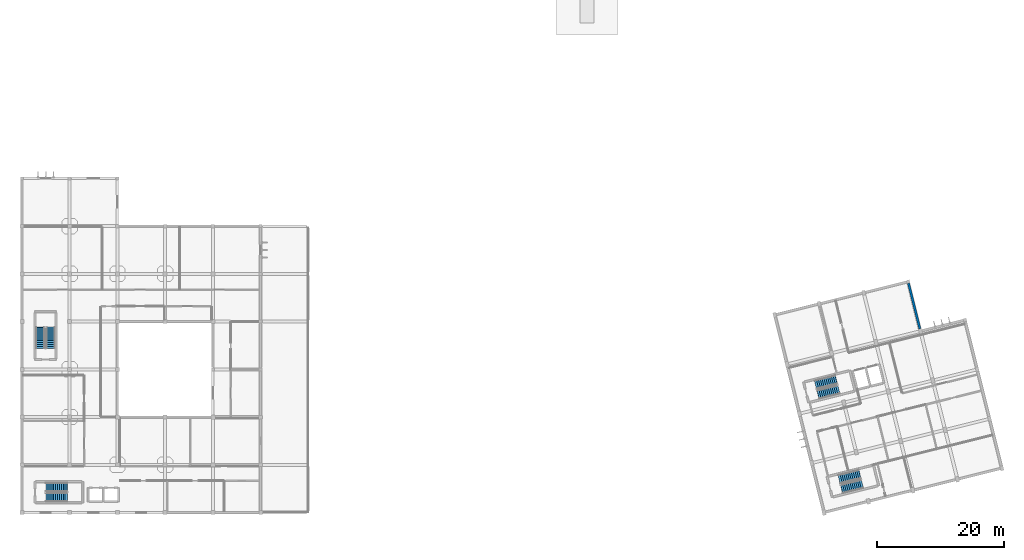
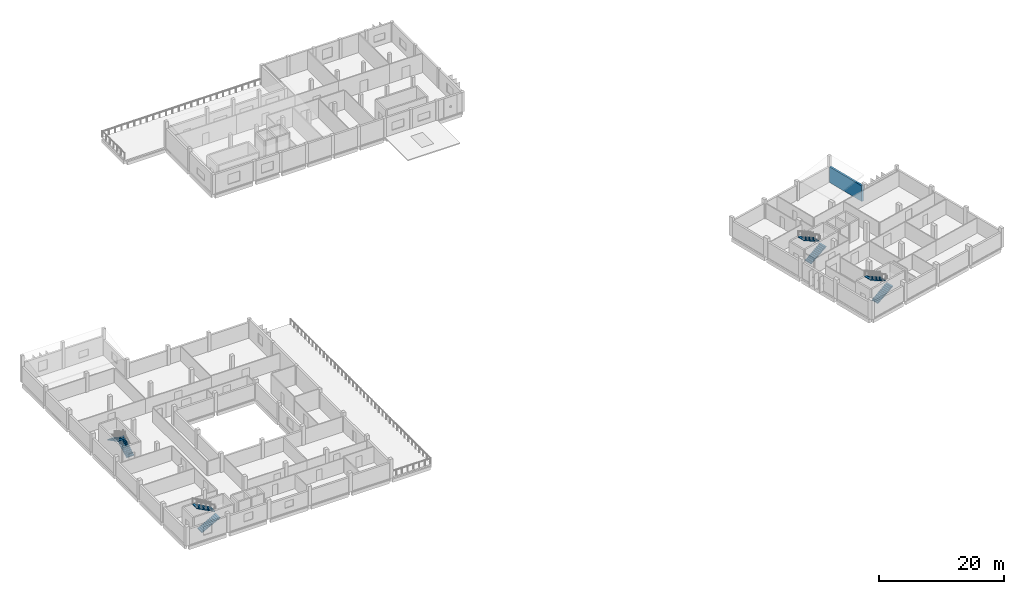
# One storey, part 12 of 21: 8 stair flights, 1 wall, 4 elements without a shape of their own.
"""IFC4 building model written with IfcOpenShell, lengths in metres."""

from ifc_helpers import new_model, si_unit, direction, frame, frame_2d, origin, place, context, subcontext, project, spatial, polyline, rectangle, outline, extrude, material, layer, layer_set, type_object, element, aggregate, save


model = new_model("IFC4")

# Units and contexts
model_context = context("Model", 3, precision=1e-05, world=origin(), true_north=direction((0.0, 1.0)))
body_context = subcontext(model_context, "Body", "Model", "MODEL_VIEW")
ifc_project = project(units=[si_unit("LENGTHUNIT", "METRE"), si_unit("AREAUNIT", "SQUARE_METRE"), si_unit("VOLUMEUNIT", "CUBIC_METRE"), si_unit("PLANEANGLEUNIT", "RADIAN"), si_unit("MASSUNIT", "GRAM", prefix="KILO")], contexts=[model_context])

# Site, building, storey
site_placement = place(None, origin())
site = spatial("IfcSite", under=ifc_project, at=site_placement, CompositionType="ELEMENT")
building_placement = place(site_placement, origin())
building = spatial("IfcBuilding", under=site, at=building_placement, Name="Mawjan Specialist Oncology Clinic", CompositionType="ELEMENT")
storey_placement = place(building_placement, frame((0.0, 0.0, 13.5)))
storey = spatial("IfcBuildingStorey", under=building, at=storey_placement, Name="L03", CompositionType="ELEMENT", Elevation=13.5)

# Wall
ifc_material_1 = material(Name="Precast concrete C40/50", Category="concrete")
ifc_layer_1 = layer(ifc_material_1, 0.35009765625, Name="Precast concrete C40/50", Category="concrete")
ifc_layer_set_1 = layer_set([ifc_layer_1], Name="Precast concrete C40/50")
wall_type = type_object("IfcWallType", Name="EW-350", PredefinedType="SOLIDWALL", material=ifc_layer_set_1)
wall_placement = place(storey_placement, frame((139.27734375, 36.83251953125, 0.0), z_axis=(0.0, 0.0, 1.0), x_axis=(0.241920240952, -0.970296138825, 0.0)))
element("IfcWall", 1, at=wall_placement, inside=storey, type_object=wall_type, Name="L03 Coral-Limestone Exterior Wall EW-L03-254", PredefinedType="SOLIDWALL", context=body_context, shape_type="SweptSolid", body=[
    extrude(rectangle(XDim=7.375, YDim=0.35009765625, at=frame_2d((3.6875, 0.0))), origin(), (0.0, 0.0, 1.0), 3.054931640625),
])

# Stair, stair flights
ifc_material_2 = material(Name="Concrete C35/45", Category="concrete")
stair_type = type_object("IfcStairType", Name="STR-CORE40", PredefinedType="HALF_TURN_STAIR", material=ifc_material_2)
stair_1_placement = place(storey_placement, origin())
stair_1 = element("IfcStair", 2, at=stair_1_placement, inside=storey, type_object=stair_type, Name="L03 Exit Stair ST-01", PredefinedType="HALF_TURN_STAIR")
ifc_material_3 = material(Name="Concrete C35/45", Category="concrete")
ifc_layer_2 = layer(ifc_material_3, 0.14990234375, Name="Concrete C35/45", Category="concrete")
ifc_layer_set_2 = layer_set([ifc_layer_2], Name="Concrete C35/45")
stair_flight_type = type_object("IfcStairFlightType", Name="FLT-CORE40", PredefinedType="STRAIGHT", material=ifc_layer_set_2)
stair_flight_1_placement = place(storey_placement, frame((3.800048828125, 3.199951171875, 0.0), z_axis=(0.0, 0.0, 1.0), x_axis=(1.0, 0.0, 0.0)))
stair_flight_1 = element("IfcStairFlight", 3, at=stair_flight_1_placement, type_object=stair_flight_type, Name="ST-01 flight 1", NumberOfRisers=12, NumberOfTreads=11, PredefinedType="STRAIGHT", RiserHeight=0.166666667, TreadLength=0.3, context=body_context, shape_type="SweptSolid", body=[
    extrude(outline(polyline([(-0.044921875, -0.0400390625), (-0.044921875, 0.0), (0.0, 0.0), (0.0, 0.166748046875), (0.300048828125, 0.166748046875), (0.300048828125, 0.333251953125), (0.60009765625, 0.333251953125), (0.60009765625, 0.5), (0.89990234375, 0.5), (0.89990234375, 0.666748046875), (1.199951171875, 0.666748046875), (1.199951171875, 0.833251953125), (1.5, 0.833251953125), (1.5, 1.0), (1.800048828125, 1.0), (1.800048828125, 1.166748046875), (2.10009765625, 1.166748046875), (2.10009765625, 1.333251953125), (2.39990234375, 1.333251953125), (2.39990234375, 1.5), (2.699951171875, 1.5), (2.699951171875, 1.666748046875), (3.0, 1.666748046875), (3.0, 1.833251953125), (3.300048828125, 1.833251953125), (3.344970703125, 1.833251953125), (3.344970703125, 1.683349609375), (0.044921875, -0.0400390625), (-0.044921875, -0.0400390625)])), frame((0.0, 0.699951171875, 0.0), z_axis=(0.0, -1.0, 0.0), x_axis=(1.0, 0.0, 0.0)), (0.0, 0.0, 1.0), 1.39990234375),
])
stair_flight_2_placement = place(storey_placement, frame((7.10009765625, 4.800048828125, 2.0), z_axis=(0.0, 0.0, 1.0), x_axis=(-1.0, 0.0, 0.0)))
stair_flight_2 = element("IfcStairFlight", 4, at=stair_flight_2_placement, type_object=stair_flight_type, Name="ST-01 flight 2", NumberOfRisers=12, NumberOfTreads=11, PredefinedType="STRAIGHT", RiserHeight=0.166666667, TreadLength=0.3, context=body_context, shape_type="SweptSolid", body=[
    extrude(outline(polyline([(-0.044921875, -0.0400390625), (-0.044921875, 0.0), (0.0, 0.0), (0.0, 0.166748046875), (0.300048828125, 0.166748046875), (0.300048828125, 0.333251953125), (0.60009765625, 0.333251953125), (0.60009765625, 0.5), (0.89990234375, 0.5), (0.89990234375, 0.666748046875), (1.199951171875, 0.666748046875), (1.199951171875, 0.833251953125), (1.5, 0.833251953125), (1.5, 1.0), (1.800048828125, 1.0), (1.800048828125, 1.166748046875), (2.10009765625, 1.166748046875), (2.10009765625, 1.333251953125), (2.39990234375, 1.333251953125), (2.39990234375, 1.5), (2.699951171875, 1.5), (2.699951171875, 1.666748046875), (3.0, 1.666748046875), (3.0, 1.833251953125), (3.300048828125, 1.833251953125), (3.344970703125, 1.833251953125), (3.344970703125, 1.683349609375), (0.044921875, -0.0400390625), (-0.044921875, -0.0400390625)])), frame((0.0, 0.699951171875, 0.0), z_axis=(0.0, -1.0, 0.0), x_axis=(1.0, 0.0, 0.0)), (0.0, 0.0, 1.0), 1.39990234375),
])
aggregate(stair_1, [stair_flight_1, stair_flight_2])

stair_2_placement = place(storey_placement, origin())
stair_2 = element("IfcStair", 5, at=stair_2_placement, inside=storey, type_object=stair_type, Name="L03 Exit Stair ST-02", PredefinedType="HALF_TURN_STAIR")
stair_flight_3_placement = place(storey_placement, frame((4.5, 26.60009765625, 0.0), z_axis=(0.0, 0.0, 1.0), x_axis=(0.0, 1.0, 0.0)))
stair_flight_3 = element("IfcStairFlight", 6, at=stair_flight_3_placement, type_object=stair_flight_type, Name="ST-02 flight 1", NumberOfRisers=12, NumberOfTreads=11, PredefinedType="STRAIGHT", RiserHeight=0.166666667, TreadLength=0.3, context=body_context, shape_type="SweptSolid", body=[
    extrude(outline(polyline([(-0.044921875, -0.0400390625), (-0.044921875, 0.0), (0.0, 0.0), (0.0, 0.166748046875), (0.300048828125, 0.166748046875), (0.300048828125, 0.333251953125), (0.60009765625, 0.333251953125), (0.60009765625, 0.5), (0.89990234375, 0.5), (0.89990234375, 0.666748046875), (1.199951171875, 0.666748046875), (1.199951171875, 0.833251953125), (1.5, 0.833251953125), (1.5, 1.0), (1.800048828125, 1.0), (1.800048828125, 1.166748046875), (2.10009765625, 1.166748046875), (2.10009765625, 1.333251953125), (2.39990234375, 1.333251953125), (2.39990234375, 1.5), (2.699951171875, 1.5), (2.699951171875, 1.666748046875), (3.0, 1.666748046875), (3.0, 1.833251953125), (3.300048828125, 1.833251953125), (3.344970703125, 1.833251953125), (3.344970703125, 1.683349609375), (0.044921875, -0.0400390625), (-0.044921875, -0.0400390625)])), frame((0.0, 0.699951171875, 0.0), z_axis=(0.0, -1.0, 0.0), x_axis=(1.0, 0.0, 0.0)), (0.0, 0.0, 1.0), 1.39990234375),
])
stair_flight_4_placement = place(storey_placement, frame((2.89990234375, 29.89990234375, 2.0), z_axis=(0.0, 0.0, 1.0), x_axis=(0.0, -1.0, 0.0)))
stair_flight_4 = element("IfcStairFlight", 7, at=stair_flight_4_placement, type_object=stair_flight_type, Name="ST-02 flight 2", NumberOfRisers=12, NumberOfTreads=11, PredefinedType="STRAIGHT", RiserHeight=0.166666667, TreadLength=0.3, context=body_context, shape_type="SweptSolid", body=[
    extrude(outline(polyline([(-0.044921875, -0.0400390625), (-0.044921875, 0.0), (0.0, 0.0), (0.0, 0.166748046875), (0.300048828125, 0.166748046875), (0.300048828125, 0.333251953125), (0.60009765625, 0.333251953125), (0.60009765625, 0.5), (0.89990234375, 0.5), (0.89990234375, 0.666748046875), (1.199951171875, 0.666748046875), (1.199951171875, 0.833251953125), (1.5, 0.833251953125), (1.5, 1.0), (1.800048828125, 1.0), (1.800048828125, 1.166748046875), (2.10009765625, 1.166748046875), (2.10009765625, 1.333251953125), (2.39990234375, 1.333251953125), (2.39990234375, 1.5), (2.699951171875, 1.5), (2.699951171875, 1.666748046875), (3.0, 1.666748046875), (3.0, 1.833251953125), (3.300048828125, 1.833251953125), (3.344970703125, 1.833251953125), (3.344970703125, 1.683349609375), (0.044921875, -0.0400390625), (-0.044921875, -0.0400390625)])), frame((0.0, 0.699951171875, 0.0), z_axis=(0.0, -1.0, 0.0), x_axis=(1.0, 0.0, 0.0)), (0.0, 0.0, 1.0), 1.39990234375),
])
aggregate(stair_2, [stair_flight_3, stair_flight_4])

stair_3_placement = place(storey_placement, origin())
stair_3 = element("IfcStair", 8, at=stair_3_placement, inside=storey, type_object=stair_type, Name="L03 Exit Stair ST-05", PredefinedType="HALF_TURN_STAIR")
stair_flight_5_placement = place(storey_placement, frame((125.090087890625, 19.330322265625, 0.0), z_axis=(0.0, 0.0, 1.0), x_axis=(0.970295726276, 0.2419218956, 0.0)))
stair_flight_5 = element("IfcStairFlight", 9, at=stair_flight_5_placement, type_object=stair_flight_type, Name="ST-05 flight 1", NumberOfRisers=12, NumberOfTreads=11, PredefinedType="STRAIGHT", RiserHeight=0.166666667, TreadLength=0.3, context=body_context, shape_type="SweptSolid", body=[
    extrude(outline(polyline([(-0.044921875, -0.0400390625), (-0.044921875, 0.0), (0.0, 0.0), (0.0, 0.166748046875), (0.300048828125, 0.166748046875), (0.300048828125, 0.333251953125), (0.60009765625, 0.333251953125), (0.60009765625, 0.5), (0.89990234375, 0.5), (0.89990234375, 0.666748046875), (1.199951171875, 0.666748046875), (1.199951171875, 0.833251953125), (1.5, 0.833251953125), (1.5, 1.0), (1.800048828125, 1.0), (1.800048828125, 1.166748046875), (2.10009765625, 1.166748046875), (2.10009765625, 1.333251953125), (2.39990234375, 1.333251953125), (2.39990234375, 1.5), (2.699951171875, 1.5), (2.699951171875, 1.666748046875), (3.0, 1.666748046875), (3.0, 1.833251953125), (3.300048828125, 1.833251953125), (3.344970703125, 1.833251953125), (3.344970703125, 1.683349609375), (0.044921875, -0.0400390625), (-0.044921875, -0.0400390625)])), frame((0.0, 0.699951171875, 0.0), z_axis=(0.0, -1.0, 0.0), x_axis=(1.0, 0.0, 0.0)), (0.0, 0.0, 1.0), 1.39990234375),
])
stair_flight_6_placement = place(storey_placement, frame((127.905029296875, 21.68115234375, 2.0), z_axis=(0.0, 0.0, 1.0), x_axis=(-0.970295726276, -0.2419218956, 0.0)))
stair_flight_6 = element("IfcStairFlight", 10, at=stair_flight_6_placement, type_object=stair_flight_type, Name="ST-05 flight 2", NumberOfRisers=12, NumberOfTreads=11, PredefinedType="STRAIGHT", RiserHeight=0.166666667, TreadLength=0.3, context=body_context, shape_type="SweptSolid", body=[
    extrude(outline(polyline([(-0.044921875, -0.0400390625), (-0.044921875, 0.0), (0.0, 0.0), (0.0, 0.166748046875), (0.300048828125, 0.166748046875), (0.300048828125, 0.333251953125), (0.60009765625, 0.333251953125), (0.60009765625, 0.5), (0.89990234375, 0.5), (0.89990234375, 0.666748046875), (1.199951171875, 0.666748046875), (1.199951171875, 0.833251953125), (1.5, 0.833251953125), (1.5, 1.0), (1.800048828125, 1.0), (1.800048828125, 1.166748046875), (2.10009765625, 1.166748046875), (2.10009765625, 1.333251953125), (2.39990234375, 1.333251953125), (2.39990234375, 1.5), (2.699951171875, 1.5), (2.699951171875, 1.666748046875), (3.0, 1.666748046875), (3.0, 1.833251953125), (3.300048828125, 1.833251953125), (3.344970703125, 1.833251953125), (3.344970703125, 1.683349609375), (0.044921875, -0.0400390625), (-0.044921875, -0.0400390625)])), frame((0.0, 0.699951171875, 0.0), z_axis=(0.0, -1.0, 0.0), x_axis=(1.0, 0.0, 0.0)), (0.0, 0.0, 1.0), 1.39990234375),
])
aggregate(stair_3, [stair_flight_5, stair_flight_6])

stair_4_placement = place(storey_placement, origin())
stair_4 = element("IfcStair", 11, at=stair_4_placement, inside=storey, type_object=stair_type, Name="L03 Exit Stair ST-06", PredefinedType="HALF_TURN_STAIR")
stair_flight_7_placement = place(storey_placement, frame((128.79150390625, 4.48486328125, 0.0), z_axis=(0.0, 0.0, 1.0), x_axis=(0.970295726276, 0.2419218956, 0.0)))
stair_flight_7 = element("IfcStairFlight", 12, at=stair_flight_7_placement, type_object=stair_flight_type, Name="ST-06 flight 1", NumberOfRisers=12, NumberOfTreads=11, PredefinedType="STRAIGHT", RiserHeight=0.166666667, TreadLength=0.3, context=body_context, shape_type="SweptSolid", body=[
    extrude(outline(polyline([(-0.044921875, -0.0400390625), (-0.044921875, 0.0), (0.0, 0.0), (0.0, 0.166748046875), (0.300048828125, 0.166748046875), (0.300048828125, 0.333251953125), (0.60009765625, 0.333251953125), (0.60009765625, 0.5), (0.89990234375, 0.5), (0.89990234375, 0.666748046875), (1.199951171875, 0.666748046875), (1.199951171875, 0.833251953125), (1.5, 0.833251953125), (1.5, 1.0), (1.800048828125, 1.0), (1.800048828125, 1.166748046875), (2.10009765625, 1.166748046875), (2.10009765625, 1.333251953125), (2.39990234375, 1.333251953125), (2.39990234375, 1.5), (2.699951171875, 1.5), (2.699951171875, 1.666748046875), (3.0, 1.666748046875), (3.0, 1.833251953125), (3.300048828125, 1.833251953125), (3.344970703125, 1.833251953125), (3.344970703125, 1.683349609375), (0.044921875, -0.0400390625), (-0.044921875, -0.0400390625)])), frame((0.0, 0.699951171875, 0.0), z_axis=(0.0, -1.0, 0.0), x_axis=(1.0, 0.0, 0.0)), (0.0, 0.0, 1.0), 1.39990234375),
])
stair_flight_8_placement = place(storey_placement, frame((131.6064453125, 6.835693359375, 2.0), z_axis=(0.0, 0.0, 1.0), x_axis=(-0.970295726276, -0.2419218956, 0.0)))
stair_flight_8 = element("IfcStairFlight", 13, at=stair_flight_8_placement, type_object=stair_flight_type, Name="ST-06 flight 2", NumberOfRisers=12, NumberOfTreads=11, PredefinedType="STRAIGHT", RiserHeight=0.166666667, TreadLength=0.3, context=body_context, shape_type="SweptSolid", body=[
    extrude(outline(polyline([(-0.044921875, -0.0400390625), (-0.044921875, 0.0), (0.0, 0.0), (0.0, 0.166748046875), (0.300048828125, 0.166748046875), (0.300048828125, 0.333251953125), (0.60009765625, 0.333251953125), (0.60009765625, 0.5), (0.89990234375, 0.5), (0.89990234375, 0.666748046875), (1.199951171875, 0.666748046875), (1.199951171875, 0.833251953125), (1.5, 0.833251953125), (1.5, 1.0), (1.800048828125, 1.0), (1.800048828125, 1.166748046875), (2.10009765625, 1.166748046875), (2.10009765625, 1.333251953125), (2.39990234375, 1.333251953125), (2.39990234375, 1.5), (2.699951171875, 1.5), (2.699951171875, 1.666748046875), (3.0, 1.666748046875), (3.0, 1.833251953125), (3.300048828125, 1.833251953125), (3.344970703125, 1.833251953125), (3.344970703125, 1.683349609375), (0.044921875, -0.0400390625), (-0.044921875, -0.0400390625)])), frame((0.0, 0.699951171875, 0.0), z_axis=(0.0, -1.0, 0.0), x_axis=(1.0, 0.0, 0.0)), (0.0, 0.0, 1.0), 1.39990234375),
])
aggregate(stair_4, [stair_flight_7, stair_flight_8])

save(model, "model.ifc")
